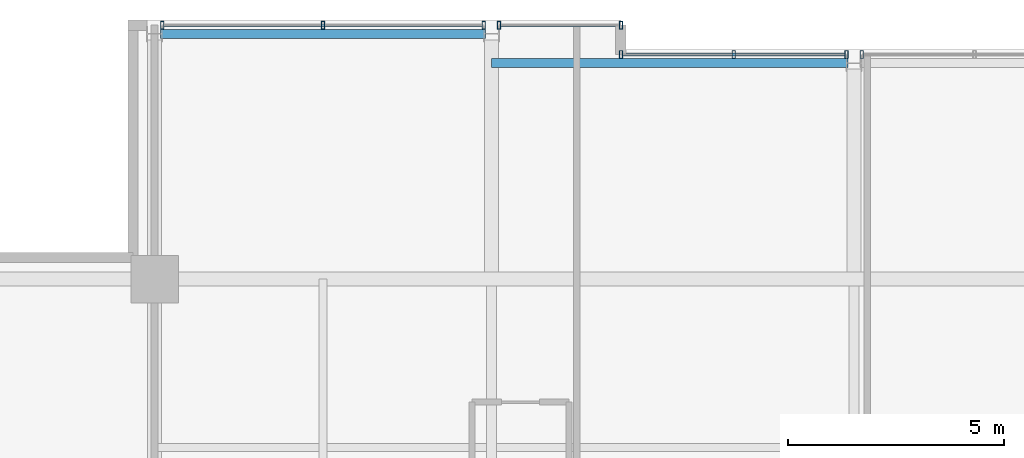
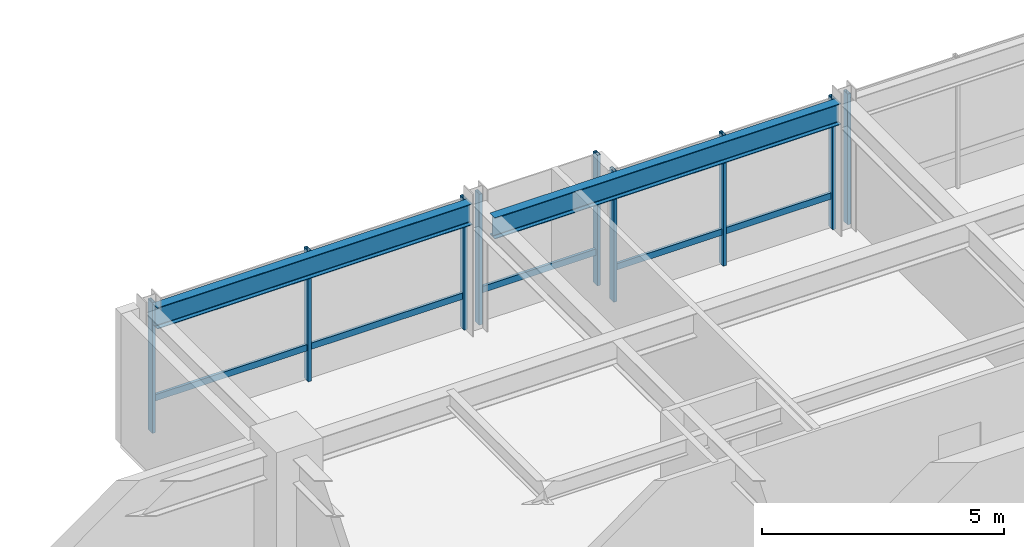
# One storey, part 22 of 34: 12 members, 2 beams, 4 elements without a shape of their own.
"""IFC4 building model written with IfcOpenShell, lengths in metres."""

import ifcopenshell
import ifcopenshell.guid

model = None  # the IFC model being written
_history = None  # IfcOwnerHistory: only IFC2X3 demands one
_inside = {}  # id of a spatial element -> (the spatial element, [elements in it])
_under = {}  # id of a project, library or spatial element -> (it, [spatial elements below it])
_declared = {}  # id of a project -> (the project, [libraries it declares])
_typed = {}  # id of a type object -> (the type object, [elements of that type])
_made_of = {}  # id of a material, layer set ... -> (it, [elements and type objects made of it])


def new_model(schema):
    """Start an empty IFC model of exactly this schema.

    Asked for "IFC4X3", IfcOpenShell would pick the latest addendum, in which some entities
    have other attributes; the version numbers below select the first issue.
    IFC2X3 requires an IfcOwnerHistory on every rooted entity: one is made here for all.
    """
    global model, _history
    if schema == "IFC4X3":
        model = ifcopenshell.file(schema_version=(4, 3, 0, 0))
    else:
        model = ifcopenshell.file(schema=schema)
    _inside.clear()
    _under.clear()
    _declared.clear()
    _typed.clear()
    _made_of.clear()
    _history = None
    if model.schema == "IFC2X3":
        org = make("IfcOrganization", Name="unknown")
        user = make(
            "IfcPersonAndOrganization",
            ThePerson=make("IfcPerson", FamilyName="unknown"),
            TheOrganization=org,
        )
        app = make(
            "IfcApplication",
            ApplicationDeveloper=org,
            Version="unknown",
            ApplicationFullName="unknown",
            ApplicationIdentifier="unknown",
        )
        _history = make(
            "IfcOwnerHistory",
            OwningUser=user,
            OwningApplication=app,
            ChangeAction="ADDED",
            CreationDate=0,
        )
    return model


def make(cls, **values):
    """One entity of the class cls with the attributes given. An attribute that is None is left unset."""
    return model.create_entity(
        cls, **{name: value for name, value in values.items() if value is not None}
    )


def rooted(cls, **values):
    """An entity with a GlobalId (a new one), such as an element, a storey or a relation."""
    return make(cls, GlobalId=ifcopenshell.guid.new(), OwnerHistory=_history, **values)


def si_unit(unit_type, name, prefix=None):
    """IfcSIUnit, for example si_unit("LENGTHUNIT", "METRE", prefix="MILLI")."""
    return make("IfcSIUnit", UnitType=unit_type, Prefix=prefix, Name=name)


def assignment(units):
    """IfcUnitAssignment: the units of a project."""
    return None if units is None else make("IfcUnitAssignment", Units=units)


def point(xyz):
    """IfcCartesianPoint."""
    return None if xyz is None else make("IfcCartesianPoint", Coordinates=xyz)


def direction(xyz):
    """IfcDirection."""
    return None if xyz is None else make("IfcDirection", DirectionRatios=xyz)


def frame(location, z_axis=None, x_axis=None):
    """IfcAxis2Placement3D, a coordinate frame: its origin and axes. An axis left out is left unset."""
    return make(
        "IfcAxis2Placement3D",
        Location=point(location),
        Axis=direction(z_axis),
        RefDirection=direction(x_axis),
    )


def frame_2d(location, x_axis=None):
    """IfcAxis2Placement2D, a coordinate frame in the plane: its origin and x axis."""
    return make(
        "IfcAxis2Placement2D", Location=point(location), RefDirection=direction(x_axis)
    )


def origin():
    """The frame at (0, 0, 0) with its axes left unset."""
    return frame((0.0, 0.0, 0.0))


def origin_2d():
    """The frame at (0, 0) in the plane with its x axis left unset."""
    return frame_2d((0.0, 0.0))


def place(relative_to, where):
    """IfcLocalPlacement: puts the frame where relative to a parent placement (None: the world)."""
    return make(
        "IfcLocalPlacement", PlacementRelTo=relative_to, RelativePlacement=where
    )


def context(
    kind, dimensions, precision=None, world=None, true_north=None, identifier=None
):
    """IfcGeometricRepresentationContext, for example the 3D "Model" context."""
    return make(
        "IfcGeometricRepresentationContext",
        ContextIdentifier=identifier,
        ContextType=kind,
        CoordinateSpaceDimension=dimensions,
        Precision=precision,
        WorldCoordinateSystem=world,
        TrueNorth=true_north,
    )


def subcontext(parent, identifier, kind, view, scale=None):
    """IfcGeometricRepresentationSubContext, for example "Body" below "Model"."""
    return make(
        "IfcGeometricRepresentationSubContext",
        ContextIdentifier=identifier,
        ContextType=kind,
        ParentContext=parent,
        TargetScale=scale,
        TargetView=view,
    )


def project(units=None, contexts=None):
    """IfcProject with its units and contexts."""
    return rooted(
        "IfcProject",
        Name="project",
        RepresentationContexts=contexts,
        UnitsInContext=assignment(units),
    )


def spatial(cls, under=None, at=None, **own):
    """A site, building, storey or space (cls), placed at a placement, below another one or the project."""
    s = rooted(cls, ObjectPlacement=at, **own)
    if under is not None:
        _under.setdefault(under.id(), (under, []))[1].append(s)
    return s


def profile(cls, at=None, kind="AREA", **sizes):
    """A parametric profile (cls). Its sizes go by their IFC names, for example OverallWidth=200.0."""
    return make(cls, ProfileType=kind, Position=at, **sizes)


def hollow_rectangle(**sizes):
    """IfcRectangleHollowProfileDef."""
    return profile("IfcRectangleHollowProfileDef", **sizes)


def i_section(**sizes):
    """IfcIShapeProfileDef."""
    return profile("IfcIShapeProfileDef", **sizes)


def extrude(swept, where, along, depth):
    """IfcExtrudedAreaSolid: the profile swept, set in the frame where, extruded along a direction by depth."""
    return make(
        "IfcExtrudedAreaSolid",
        SweptArea=swept,
        Position=where,
        ExtrudedDirection=direction(along),
        Depth=depth,
    )


def shape(context_of_items, identifier, shape_type, items):
    """IfcShapeRepresentation: the items that make up one representation, for example the "Body"."""
    return make(
        "IfcShapeRepresentation",
        ContextOfItems=context_of_items,
        RepresentationIdentifier=identifier,
        RepresentationType=shape_type,
        Items=items,
    )


def material(Name=None, Category=None):
    """IfcMaterial."""
    return make("IfcMaterial", Name=Name, Category=Category)


def layer(
    of_material, thickness, ventilated=None, Name=None, Category=None, Priority=None
):
    """IfcMaterialLayer: one layer of a wall or slab, of a material (None: an air gap)."""
    return make(
        "IfcMaterialLayer",
        Material=of_material,
        LayerThickness=thickness,
        IsVentilated=ventilated,
        Name=Name,
        Category=Category,
        Priority=Priority,
    )


def layer_set(layers, Name=None):
    """IfcMaterialLayerSet."""
    return make("IfcMaterialLayerSet", MaterialLayers=layers, LayerSetName=Name)


def material_profile(
    of_material, cross_section, Name=None, Category=None, Priority=None
):
    """IfcMaterialProfile: a cross section and its material."""
    return make(
        "IfcMaterialProfile",
        Name=Name,
        Material=of_material,
        Profile=cross_section,
        Priority=Priority,
        Category=Category,
    )


def profile_set(profiles, Name=None, composite=None):
    """IfcMaterialProfileSet."""
    return make(
        "IfcMaterialProfileSet",
        Name=Name,
        MaterialProfiles=profiles,
        CompositeProfile=composite,
    )


def made_of(thing, what):
    """Note that an element or type object is made of a material, layer set ...; save() writes the relation."""
    if what is not None:
        _made_of.setdefault(what.id(), (what, []))[1].append(thing)
    return thing


def type_object(cls, material=None, **own):
    """A type object (cls), such as IfcWallType, which elements share."""
    return made_of(rooted(cls, **own), material)


def element(
    cls,
    number,
    at=None,
    inside=None,
    cuts=None,
    type_object=None,
    material=None,
    context=None,
    identifier="Body",
    shape_type=None,
    held_by="IfcProductDefinitionShape",
    body=None,
    shapes=None,
    **own,
):
    """One element of the class cls, such as IfcWall. Its Tag is "e" and its number.

    at: its placement. inside: the storey or other place that contains it. cuts: it is an
    opening in that element (IfcRelVoidsElement). A single representation is given by context,
    identifier, shape_type and body (its items); several are given by shapes. held_by: the class
    of the entity that holds the representations. save() writes the other relations.
    """
    e = rooted(cls, Tag="e%d" % number, ObjectPlacement=at, **own)
    if body is not None:
        shapes = [shape(context, identifier, shape_type, body)]
    if shapes is not None:
        e.Representation = make(held_by, Representations=shapes)
    if inside is not None:
        _inside.setdefault(inside.id(), (inside, []))[1].append(e)
    if cuts is not None:
        rooted(
            "IfcRelVoidsElement", RelatingBuildingElement=cuts, RelatedOpeningElement=e
        )
    if type_object is not None:
        _typed.setdefault(type_object.id(), (type_object, []))[1].append(e)
    return made_of(e, material)


def aggregate(whole, parts):
    """IfcRelAggregates: a whole, such as a stair, and the parts it consists of."""
    return rooted("IfcRelAggregates", RelatingObject=whole, RelatedObjects=parts)


def save(model, path):
    """Write the relations noted so far, then the file.

    IfcRelAggregates (storeys below a building ...), IfcRelContainedInSpatialStructure (elements
    in a storey), IfcRelDefinesByType, IfcRelAssociatesMaterial and IfcRelDeclares: one each for
    every whole, place, type object, material and project.
    """
    for whole, parts in _under.values():
        aggregate(whole, parts)
    for where, things in _inside.values():
        rooted(
            "IfcRelContainedInSpatialStructure",
            RelatedElements=things,
            RelatingStructure=where,
        )
    for kind, things in _typed.values():
        rooted("IfcRelDefinesByType", RelatedObjects=things, RelatingType=kind)
    for what, things in _made_of.values():
        rooted("IfcRelAssociatesMaterial", RelatedObjects=things, RelatingMaterial=what)
    for by, libraries in _declared.values():
        rooted("IfcRelDeclares", RelatingContext=by, RelatedDefinitions=libraries)
    model.write(path)


model = new_model("IFC4")

# Units and contexts
model_context = context("Model", 3, precision=1e-05, world=origin(), true_north=direction((0.0, 1.0)))
body_context = subcontext(model_context, "Body", "Model", "MODEL_VIEW")
ifc_project = project(units=[si_unit("LENGTHUNIT", "METRE"), si_unit("AREAUNIT", "SQUARE_METRE"), si_unit("VOLUMEUNIT", "CUBIC_METRE"), si_unit("PLANEANGLEUNIT", "RADIAN"), si_unit("MASSUNIT", "GRAM", prefix="KILO")], contexts=[model_context])

# Site, building, storey
site_placement = place(None, origin())
site = spatial("IfcSite", under=ifc_project, at=site_placement, CompositionType="ELEMENT")
building_placement = place(site_placement, origin())
building = spatial("IfcBuilding", under=site, at=building_placement, Name="Drelvath Grand Hotel", CompositionType="ELEMENT")
storey_placement = place(building_placement, frame((0.0, 0.0, 251.89990234375)))
storey = spatial("IfcBuildingStorey", under=building, at=storey_placement, Name="L66", CompositionType="ELEMENT", Elevation=251.89990234375)

# Curtain wall, member
ifc_material_1 = material(Name="Platinum-Mist Anodised Aluminium Frame", Category="aluminium")
ifc_layer = layer(ifc_material_1, 0.199951171875)
ifc_layer_set = layer_set([ifc_layer], Name="Platinum-Mist Anodised Aluminium Frame")
curtain_wall_type = type_object("IfcCurtainWallType", Name="Stick Curtain Wall CW-05 Platinum Mist High-Rise", PredefinedType="NOTDEFINED", material=ifc_layer_set)
curtain_wall_1_placement = place(storey_placement, origin())
curtain_wall_1 = element("IfcCurtainWall", 1, at=curtain_wall_1_placement, inside=storey, type_object=curtain_wall_type, Name="L66 CW-05 Curtain Wall CW05-L66-NW2", PredefinedType="NOTDEFINED")
ifc_material_profile_1 = material_profile(ifc_material_1, hollow_rectangle(XDim=0.06494140625, YDim=0.159912109375, WallThickness=0.00390625, at=origin_2d()), Name="HSS160X65X4")
ifc_profile_set_1 = profile_set([ifc_material_profile_1], Name="Platinum-Mist Anodised Aluminium Frame")
member_type_1 = type_object("IfcMemberType", Name="Curtain Wall Horizontal Transom CW-05 HSS160X65X4", PredefinedType="USERDEFINED", material=ifc_profile_set_1)
member_1_placement = place(storey_placement, frame((-15.981689453125, 49.080078125, 0.8251953125), z_axis=(1.0, 0.0, 0.0), x_axis=(0.0, 1.0, 0.0)))
member_1 = element("IfcMember", 2, at=member_1_placement, type_object=member_type_1, Name="CW05-L66-NW2 Sill Transom", ObjectType="TRANSOM", PredefinedType="USERDEFINED", context=body_context, shape_type="SweptSolid", body=[
    extrude(hollow_rectangle(XDim=0.06494140625, YDim=0.159912109375, WallThickness=0.00390625, at=origin_2d()), origin(), (0.0, 0.0, 1.0), 7.363525390625),
])

curtain_wall_2_placement = place(storey_placement, origin())
curtain_wall_2 = element("IfcCurtainWall", 3, at=curtain_wall_2_placement, inside=storey, type_object=curtain_wall_type, Name="L66 CW-05 Curtain Wall CW05-L66-NW3", PredefinedType="NOTDEFINED")
member_2_placement = place(storey_placement, frame((-8.181884765625, 49.080078125, 0.8251953125), z_axis=(1.0, 0.0, 0.0), x_axis=(0.0, 1.0, 0.0)))
member_2 = element("IfcMember", 4, at=member_2_placement, type_object=member_type_1, Name="CW05-L66-NW3 Sill Transom", ObjectType="TRANSOM", PredefinedType="USERDEFINED", context=body_context, shape_type="SweptSolid", body=[
    extrude(hollow_rectangle(XDim=0.06494140625, YDim=0.159912109375, WallThickness=0.00390625, at=origin_2d()), origin(), (0.0, 0.0, 1.0), 2.741943359375),
])

curtain_wall_3_placement = place(storey_placement, origin())
curtain_wall_3 = element("IfcCurtainWall", 5, at=curtain_wall_3_placement, inside=storey, type_object=curtain_wall_type, Name="L66 CW-05 Curtain Wall CW05-L66-NM1", PredefinedType="NOTDEFINED")
member_3_placement = place(storey_placement, frame((-5.360107421875, 48.39990234375, 0.8251953125), z_axis=(1.0, 0.0, 0.0), x_axis=(0.0, 1.0, 0.0)))
member_3 = element("IfcMember", 6, at=member_3_placement, type_object=member_type_1, Name="CW05-L66-NM1 Sill Transom", ObjectType="TRANSOM", PredefinedType="USERDEFINED", context=body_context, shape_type="SweptSolid", body=[
    extrude(hollow_rectangle(XDim=0.06494140625, YDim=0.159912109375, WallThickness=0.00390625, at=origin_2d()), origin(), (0.0, 0.0, 1.0), 5.141845703125),
])

# Member
ifc_material_profile_2 = material_profile(ifc_material_1, hollow_rectangle(XDim=0.074951171875, YDim=0.179931640625, WallThickness=0.0048828125, at=origin_2d()), Name="HSS180X75X5")
ifc_profile_set_2 = profile_set([ifc_material_profile_2], Name="Platinum-Mist Anodised Aluminium Frame")
member_type_2 = type_object("IfcMemberType", Name="Curtain Wall Vertical Mullion CW-05 HSS180X75X5", PredefinedType="MULLION", material=ifc_profile_set_2)
member_4_placement = place(storey_placement, frame((-16.021728515625, 49.080078125, 0.0), z_axis=(0.0, 0.0, 1.0), x_axis=(1.0, 0.0, 0.0)))
member_4 = element("IfcMember", 7, at=member_4_placement, type_object=member_type_2, Name="CW05-L66-NW2 Mullion 1", PredefinedType="MULLION", context=body_context, shape_type="SweptSolid", body=[
    extrude(hollow_rectangle(XDim=0.074951171875, YDim=0.179931640625, WallThickness=0.0048828125, at=origin_2d()), origin(), (0.0, 0.0, 1.0), 3.300048828125),
])

member_5_placement = place(storey_placement, frame((-12.300048828125, 49.080078125, 0.0), z_axis=(0.0, 0.0, 1.0), x_axis=(1.0, 0.0, 0.0)))
member_5 = element("IfcMember", 8, at=member_5_placement, type_object=member_type_2, Name="CW05-L66-NW2 Mullion 2", PredefinedType="MULLION", context=body_context, shape_type="SweptSolid", body=[
    extrude(hollow_rectangle(XDim=0.074951171875, YDim=0.179931640625, WallThickness=0.0048828125, at=origin_2d()), origin(), (0.0, 0.0, 1.0), 3.300048828125),
])

member_6_placement = place(storey_placement, frame((-8.578125, 49.080078125, 0.0), z_axis=(0.0, 0.0, 1.0), x_axis=(1.0, 0.0, 0.0)))
member_6 = element("IfcMember", 9, at=member_6_placement, type_object=member_type_2, Name="CW05-L66-NW2 Mullion 3", PredefinedType="MULLION", context=body_context, shape_type="SweptSolid", body=[
    extrude(hollow_rectangle(XDim=0.074951171875, YDim=0.179931640625, WallThickness=0.0048828125, at=origin_2d()), origin(), (0.0, 0.0, 1.0), 3.300048828125),
])

aggregate(curtain_wall_1, [member_4, member_5, member_6, member_1])

member_7_placement = place(storey_placement, frame((-8.2216796875, 49.080078125, 0.0), z_axis=(0.0, 0.0, 1.0), x_axis=(1.0, 0.0, 0.0)))
member_7 = element("IfcMember", 10, at=member_7_placement, type_object=member_type_2, Name="CW05-L66-NW3 Mullion 1", PredefinedType="MULLION", context=body_context, shape_type="SweptSolid", body=[
    extrude(hollow_rectangle(XDim=0.074951171875, YDim=0.179931640625, WallThickness=0.0048828125, at=origin_2d()), origin(), (0.0, 0.0, 1.0), 3.300048828125),
])

member_8_placement = place(storey_placement, frame((-5.39990234375, 49.080078125, 0.0), z_axis=(0.0, 0.0, 1.0), x_axis=(1.0, 0.0, 0.0)))
member_8 = element("IfcMember", 11, at=member_8_placement, type_object=member_type_2, Name="CW05-L66-NW3 Mullion 2", PredefinedType="MULLION", context=body_context, shape_type="SweptSolid", body=[
    extrude(hollow_rectangle(XDim=0.074951171875, YDim=0.179931640625, WallThickness=0.0048828125, at=origin_2d()), origin(), (0.0, 0.0, 1.0), 3.300048828125),
])

aggregate(curtain_wall_2, [member_7, member_8, member_2])

member_9_placement = place(storey_placement, frame((-5.39990234375, 48.39990234375, 0.0), z_axis=(0.0, 0.0, 1.0), x_axis=(1.0, 0.0, 0.0)))
member_9 = element("IfcMember", 12, at=member_9_placement, type_object=member_type_2, Name="CW05-L66-NM1 Mullion 1", PredefinedType="MULLION", context=body_context, shape_type="SweptSolid", body=[
    extrude(hollow_rectangle(XDim=0.074951171875, YDim=0.179931640625, WallThickness=0.0048828125, at=origin_2d()), origin(), (0.0, 0.0, 1.0), 3.300048828125),
])

member_10_placement = place(storey_placement, frame((-2.7890625, 48.39990234375, 0.0), z_axis=(0.0, 0.0, 1.0), x_axis=(1.0, 0.0, 0.0)))
member_10 = element("IfcMember", 13, at=member_10_placement, type_object=member_type_2, Name="CW05-L66-NM1 Mullion 2", PredefinedType="MULLION", context=body_context, shape_type="SweptSolid", body=[
    extrude(hollow_rectangle(XDim=0.074951171875, YDim=0.179931640625, WallThickness=0.0048828125, at=origin_2d()), origin(), (0.0, 0.0, 1.0), 3.300048828125),
])

member_11_placement = place(storey_placement, frame((-0.17822265625, 48.39990234375, 0.0), z_axis=(0.0, 0.0, 1.0), x_axis=(1.0, 0.0, 0.0)))
member_11 = element("IfcMember", 14, at=member_11_placement, type_object=member_type_2, Name="CW05-L66-NM1 Mullion 3", PredefinedType="MULLION", context=body_context, shape_type="SweptSolid", body=[
    extrude(hollow_rectangle(XDim=0.074951171875, YDim=0.179931640625, WallThickness=0.0048828125, at=origin_2d()), origin(), (0.0, 0.0, 1.0), 3.300048828125),
])

aggregate(curtain_wall_3, [member_9, member_10, member_11, member_3])

# Curtain wall, member
curtain_wall_4_placement = place(storey_placement, origin())
curtain_wall_4 = element("IfcCurtainWall", 15, at=curtain_wall_4_placement, inside=storey, type_object=curtain_wall_type, Name="L66 CW-05 Curtain Wall CW05-L66-NM2", PredefinedType="NOTDEFINED")
member_12_placement = place(storey_placement, frame((0.17822265625, 48.39990234375, 0.0), z_axis=(0.0, 0.0, 1.0), x_axis=(1.0, 0.0, 0.0)))
member_12 = element("IfcMember", 16, at=member_12_placement, type_object=member_type_2, Name="CW05-L66-NM2 Mullion 1", PredefinedType="MULLION", context=body_context, shape_type="SweptSolid", body=[
    extrude(hollow_rectangle(XDim=0.074951171875, YDim=0.179931640625, WallThickness=0.0048828125, at=origin_2d()), origin(), (0.0, 0.0, 1.0), 3.300048828125),
])
aggregate(curtain_wall_4, [member_12])

# Beams
ifc_material_2 = material(Name="Steel ASTM A992 Gr 50", Category="steel")
ifc_material_profile_3 = material_profile(ifc_material_2, i_section(OverallWidth=0.210205078125, OverallDepth=0.53662109375, WebThickness=0.010986328125, FlangeThickness=0.017333984375, FilletRadius=0.01806640625, at=origin_2d()), Name="W21X68")
ifc_profile_set_3 = profile_set([ifc_material_profile_3], Name="Steel ASTM A992 Gr 50")
beam_type = type_object("IfcBeamType", Name="Perimeter Spandrel Beam W21X68", PredefinedType="SPANDREL", material=ifc_profile_set_3)
beam_1_placement = place(storey_placement, frame((-16.06005859375, 48.8798828125, 3.03173828125), z_axis=(1.0, 0.0, 0.0), x_axis=(0.0, 1.0, 0.0)))
element("IfcBeam", 17, at=beam_1_placement, inside=storey, type_object=beam_type, Name="L66 Spandrel North W", PredefinedType="SPANDREL", context=body_context, shape_type="SweptSolid", body=[
    extrude(i_section(OverallWidth=0.210205078125, OverallDepth=0.53662109375, WebThickness=0.010986328125, FlangeThickness=0.017333984375, FilletRadius=0.01806640625, at=origin_2d()), origin(), (0.0, 0.0, 1.0), 7.52001953125),
])
beam_2_placement = place(storey_placement, frame((-8.39990234375, 48.199951171875, 3.03173828125), z_axis=(1.0, 0.0, 0.0), x_axis=(0.0, 1.0, 0.0)))
element("IfcBeam", 18, at=beam_2_placement, inside=storey, type_object=beam_type, Name="L66 Spandrel North Mid W", PredefinedType="SPANDREL", context=body_context, shape_type="SweptSolid", body=[
    extrude(i_section(OverallWidth=0.210205078125, OverallDepth=0.53662109375, WebThickness=0.010986328125, FlangeThickness=0.017333984375, FilletRadius=0.01806640625, at=origin_2d()), origin(), (0.0, 0.0, 1.0), 8.260009765625),
])

save(model, "model.ifc")
